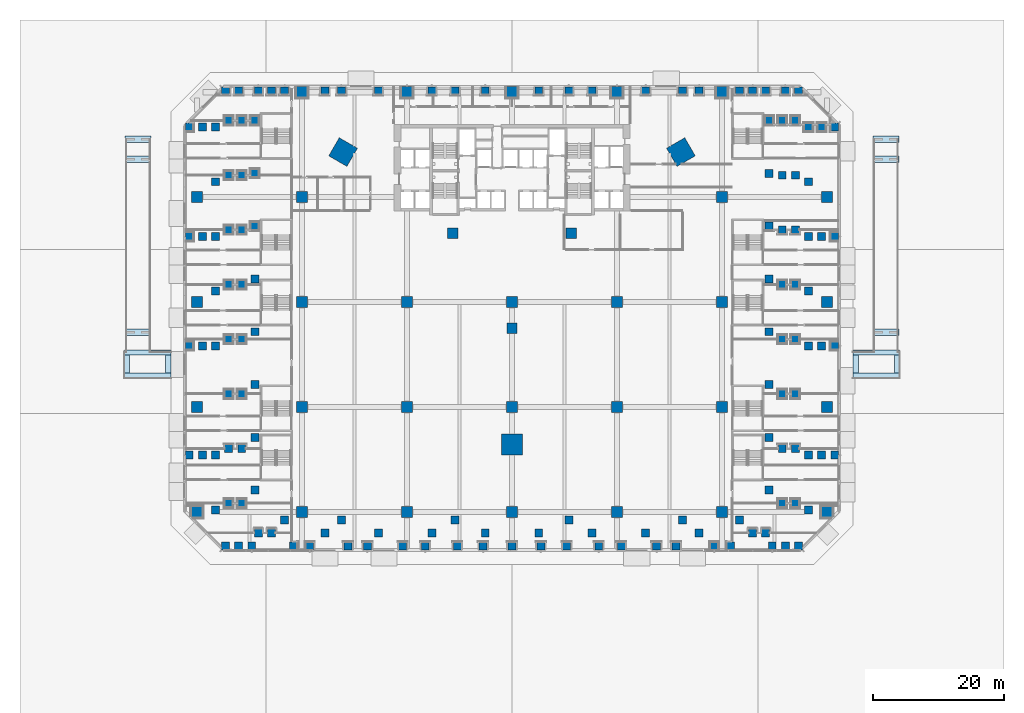
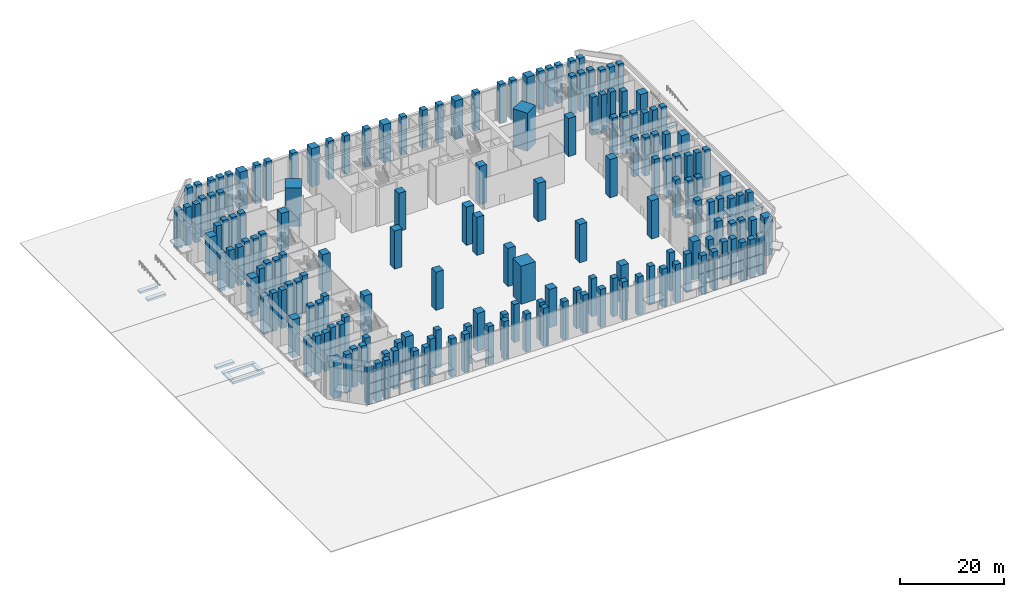
# One storey, part 1 of 51: 177 columns, 14 footings, 2 elements without a shape of their own.
"""IFC4 building model written with IfcOpenShell, lengths in metres."""

from ifc_helpers import new_model, si_unit, direction, frame, origin, origin_2d, place, context, subcontext, project, spatial, polyline, rectangle, outline, extrude, material, layer, layer_set, material_profile, profile_set, type_object, element, aggregate, save


model = new_model("IFC4")

# Units and contexts
model_context = context("Model", 3, precision=1e-05, world=origin(), true_north=direction((0.0, 1.0)))
body_context = subcontext(model_context, "Body", "Model", "MODEL_VIEW")
ifc_project = project(units=[si_unit("LENGTHUNIT", "METRE"), si_unit("AREAUNIT", "SQUARE_METRE"), si_unit("VOLUMEUNIT", "CUBIC_METRE"), si_unit("PLANEANGLEUNIT", "RADIAN"), si_unit("MASSUNIT", "GRAM", prefix="KILO")], contexts=[model_context])

# Site, building, storey
site_placement = place(None, origin())
site = spatial("IfcSite", under=ifc_project, at=site_placement, CompositionType="ELEMENT")
building_placement = place(site_placement, origin())
building = spatial("IfcBuilding", under=site, at=building_placement, Name="Calabash Gate Tower", CompositionType="ELEMENT")
storey_placement = place(building_placement, origin())
storey = spatial("IfcBuildingStorey", under=building, at=storey_placement, Name="L00", CompositionType="ELEMENT", Elevation=0.0)

# Assembly, footings
assembly_1_placement = place(storey_placement, origin())
assembly_1 = element("IfcElementAssembly", 1, at=assembly_1_placement, inside=storey, Name="Entry Ramp", ObjectType="Vehicle ramp", PredefinedType="USERDEFINED")
ifc_material_1 = material(Name="Concrete C40/50", Category="concrete")
ifc_layer_1 = layer(ifc_material_1, 0.5)
ifc_layer_set_1 = layer_set([ifc_layer_1], Name="Ramp landing footing 500")
footing_type_1 = type_object("IfcFootingType", Name="Ramp landing footing 500", PredefinedType="STRIP_FOOTING", material=ifc_layer_set_1)
footing_1_placement = place(storey_placement, frame((0.0, 0.0, -5.800048828125)))
footing_1 = element("IfcFooting", 2, at=footing_1_placement, type_object=footing_type_1, Name="Entry Ramp landing footing", PredefinedType="STRIP_FOOTING", context=body_context, shape_type="SweptSolid", body=[
    extrude(outline(polyline([(52.0, -19.60009765625), (59.10009765625, -19.60009765625), (59.10009765625, -18.800048828125), (52.0, -18.800048828125), (52.0, -19.60009765625)])), origin(), (0.0, 0.0, 1.0), 0.5),
])
footing_2_placement = place(storey_placement, frame((0.0, 0.0, -5.800048828125)))
footing_2 = element("IfcFooting", 3, at=footing_2_placement, type_object=footing_type_1, Name="Entry Ramp landing footing", PredefinedType="STRIP_FOOTING", context=body_context, shape_type="SweptSolid", body=[
    extrude(outline(polyline([(52.0, -16.10009765625), (59.10009765625, -16.10009765625), (59.10009765625, -15.300048828125), (52.0, -15.300048828125), (52.0, -16.10009765625)])), origin(), (0.0, 0.0, 1.0), 0.5),
])
footing_3_placement = place(storey_placement, frame((0.0, 0.0, -5.800048828125)))
footing_3 = element("IfcFooting", 4, at=footing_3_placement, type_object=footing_type_1, Name="Entry Ramp landing footing", PredefinedType="STRIP_FOOTING", context=body_context, shape_type="SweptSolid", body=[
    extrude(outline(polyline([(52.0, -18.800048828125), (52.800048828125, -18.800048828125), (52.800048828125, -16.10009765625), (52.0, -16.10009765625), (52.0, -18.800048828125)])), origin(), (0.0, 0.0, 1.0), 0.5),
])
footing_4_placement = place(storey_placement, frame((0.0, 0.0, -5.800048828125)))
footing_4 = element("IfcFooting", 5, at=footing_4_placement, type_object=footing_type_1, Name="Entry Ramp landing footing", PredefinedType="STRIP_FOOTING", context=body_context, shape_type="SweptSolid", body=[
    extrude(outline(polyline([(58.300048828125, -18.800048828125), (59.10009765625, -18.800048828125), (59.10009765625, -16.10009765625), (58.300048828125, -16.10009765625), (58.300048828125, -18.800048828125)])), origin(), (0.0, 0.0, 1.0), 0.5),
])

assembly_2_placement = place(storey_placement, origin())
assembly_2 = element("IfcElementAssembly", 6, at=assembly_2_placement, inside=storey, Name="Exit Ramp", ObjectType="Vehicle ramp", PredefinedType="USERDEFINED")
footing_5_placement = place(storey_placement, frame((0.0, 0.0, -5.800048828125)))
footing_5 = element("IfcFooting", 7, at=footing_5_placement, type_object=footing_type_1, Name="Exit Ramp landing footing", PredefinedType="STRIP_FOOTING", context=body_context, shape_type="SweptSolid", body=[
    extrude(outline(polyline([(-59.10009765625, -19.60009765625), (-52.0, -19.60009765625), (-52.0, -18.800048828125), (-59.10009765625, -18.800048828125), (-59.10009765625, -19.60009765625)])), origin(), (0.0, 0.0, 1.0), 0.5),
])
footing_6_placement = place(storey_placement, frame((0.0, 0.0, -5.800048828125)))
footing_6 = element("IfcFooting", 8, at=footing_6_placement, type_object=footing_type_1, Name="Exit Ramp landing footing", PredefinedType="STRIP_FOOTING", context=body_context, shape_type="SweptSolid", body=[
    extrude(outline(polyline([(-59.10009765625, -16.10009765625), (-52.0, -16.10009765625), (-52.0, -15.300048828125), (-59.10009765625, -15.300048828125), (-59.10009765625, -16.10009765625)])), origin(), (0.0, 0.0, 1.0), 0.5),
])
footing_7_placement = place(storey_placement, frame((0.0, 0.0, -5.800048828125)))
footing_7 = element("IfcFooting", 9, at=footing_7_placement, type_object=footing_type_1, Name="Exit Ramp landing footing", PredefinedType="STRIP_FOOTING", context=body_context, shape_type="SweptSolid", body=[
    extrude(outline(polyline([(-59.10009765625, -18.800048828125), (-58.300048828125, -18.800048828125), (-58.300048828125, -16.10009765625), (-59.10009765625, -16.10009765625), (-59.10009765625, -18.800048828125)])), origin(), (0.0, 0.0, 1.0), 0.5),
])
footing_8_placement = place(storey_placement, frame((0.0, 0.0, -5.800048828125)))
footing_8 = element("IfcFooting", 10, at=footing_8_placement, type_object=footing_type_1, Name="Exit Ramp landing footing", PredefinedType="STRIP_FOOTING", context=body_context, shape_type="SweptSolid", body=[
    extrude(outline(polyline([(-52.800048828125, -18.800048828125), (-52.0, -18.800048828125), (-52.0, -16.10009765625), (-52.800048828125, -16.10009765625), (-52.800048828125, -18.800048828125)])), origin(), (0.0, 0.0, 1.0), 0.5),
])

# Footing
ifc_material_2 = material(Name="Concrete C40/50", Category="concrete")
ifc_layer_2 = layer(ifc_material_2, 1.0)
ifc_layer_set_2 = layer_set([ifc_layer_2], Name="Ramp support footing 1000")
footing_type_2 = type_object("IfcFootingType", Name="Ramp support footing 1000", PredefinedType="STRIP_FOOTING", material=ifc_layer_set_2)
footing_9_placement = place(storey_placement, frame((0.0, 0.0, -6.300048828125)))
footing_9 = element("IfcFooting", 11, at=footing_9_placement, type_object=footing_type_2, Name="Entry Ramp support footing", PredefinedType="STRIP_FOOTING", context=body_context, shape_type="SweptSolid", body=[
    extrude(outline(polyline([(55.0, -13.10009765625), (59.0, -13.10009765625), (59.0, -12.10009765625), (55.0, -12.10009765625), (55.0, -13.10009765625)])), origin(), (0.0, 0.0, 1.0), 0.5),
])

footing_10_placement = place(storey_placement, frame((0.0, 0.0, -6.300048828125)))
footing_10 = element("IfcFooting", 12, at=footing_10_placement, type_object=footing_type_2, Name="Entry Ramp support footing", PredefinedType="STRIP_FOOTING", context=body_context, shape_type="SweptSolid", body=[
    extrude(outline(polyline([(55.0, 13.300048828125), (59.0, 13.300048828125), (59.0, 14.300048828125), (55.0, 14.300048828125), (55.0, 13.300048828125)])), origin(), (0.0, 0.0, 1.0), 0.5),
])

footing_11_placement = place(storey_placement, frame((0.0, 0.0, -6.300048828125)))
footing_11 = element("IfcFooting", 13, at=footing_11_placement, type_object=footing_type_2, Name="Entry Ramp support footing", PredefinedType="STRIP_FOOTING", context=body_context, shape_type="SweptSolid", body=[
    extrude(outline(polyline([(55.0, 16.300048828125), (59.0, 16.300048828125), (59.0, 17.300048828125), (55.0, 17.300048828125), (55.0, 16.300048828125)])), origin(), (0.0, 0.0, 1.0), 0.5),
])

aggregate(assembly_1, [footing_1, footing_2, footing_3, footing_4, footing_9, footing_10, footing_11])

footing_12_placement = place(storey_placement, frame((0.0, 0.0, -6.300048828125)))
footing_12 = element("IfcFooting", 14, at=footing_12_placement, type_object=footing_type_2, Name="Exit Ramp support footing", PredefinedType="STRIP_FOOTING", context=body_context, shape_type="SweptSolid", body=[
    extrude(outline(polyline([(-59.0, -13.10009765625), (-55.0, -13.10009765625), (-55.0, -12.10009765625), (-59.0, -12.10009765625), (-59.0, -13.10009765625)])), origin(), (0.0, 0.0, 1.0), 0.5),
])

footing_13_placement = place(storey_placement, frame((0.0, 0.0, -6.300048828125)))
footing_13 = element("IfcFooting", 15, at=footing_13_placement, type_object=footing_type_2, Name="Exit Ramp support footing", PredefinedType="STRIP_FOOTING", context=body_context, shape_type="SweptSolid", body=[
    extrude(outline(polyline([(-59.0, 13.300048828125), (-55.0, 13.300048828125), (-55.0, 14.300048828125), (-59.0, 14.300048828125), (-59.0, 13.300048828125)])), origin(), (0.0, 0.0, 1.0), 0.5),
])

footing_14_placement = place(storey_placement, frame((0.0, 0.0, -6.300048828125)))
footing_14 = element("IfcFooting", 16, at=footing_14_placement, type_object=footing_type_2, Name="Exit Ramp support footing", PredefinedType="STRIP_FOOTING", context=body_context, shape_type="SweptSolid", body=[
    extrude(outline(polyline([(-59.0, 16.300048828125), (-55.0, 16.300048828125), (-55.0, 17.300048828125), (-59.0, 17.300048828125), (-59.0, 16.300048828125)])), origin(), (0.0, 0.0, 1.0), 0.5),
])

aggregate(assembly_2, [footing_5, footing_6, footing_7, footing_8, footing_12, footing_13, footing_14])

# Columns
ifc_material_3 = material(Name="Concrete C80/95", Category="concrete")
ifc_material_profile_1 = material_profile(ifc_material_3, rectangle(XDim=1.60009765625, YDim=1.60009765625, at=origin_2d()))
ifc_profile_set_1 = profile_set([ifc_material_profile_1], Name="Concrete C80/95")
column_type_1 = type_object("IfcColumnType", Name="Interior column RC 1600x1600 Concrete C80/95", PredefinedType="COLUMN", material=ifc_profile_set_1)
for number, where, z_axis, x_axis, name in (
    (17, (-9.0, 2.5, 0.0), (0.0, 0.0, 1.0), (1.0, 0.0, 0.0), "Interior column L00 I0"),
    (18, (9.0, 2.5, 0.0), (0.0, 0.0, 1.0), (1.0, 0.0, 0.0), "Interior column L00 I1"),
    (19, (0.0, -12.0, 0.0), (0.0, 0.0, 1.0), (1.0, 0.0, 0.0), "Interior column L00 I2"),
):
    element("IfcColumn", number, at=place(storey_placement, frame(where, z_axis=z_axis, x_axis=x_axis)), inside=storey, type_object=column_type_1, Name=name, PredefinedType="COLUMN", context=body_context, shape_type="SweptSolid", body=[
        extrude(rectangle(XDim=1.60009765625, YDim=1.60009765625, at=origin_2d()), origin(), (0.0, 0.0, 1.0), 9.0),
    ])
ifc_material_4 = material(Name="Concrete C80/95", Category="concrete")
ifc_material_profile_2 = material_profile(ifc_material_4, rectangle(XDim=3.199951171875, YDim=3.199951171875, at=origin_2d()))
ifc_profile_set_2 = profile_set([ifc_material_profile_2], Name="Concrete C80/95")
column_type_2 = type_object("IfcColumnType", Name="Mega column RC 3200x3200 Concrete C80/95", PredefinedType="COLUMN", material=ifc_profile_set_2)
for number, where, z_axis, x_axis, name in (
    (20, (-25.75, 14.866943359375, 0.0), (0.0, 0.0, 1.0), (0.866025386331, -0.50000003023, 0.0), "Mega column L00 NW"),
    (21, (25.75, 14.866943359375, 0.0), (0.0, 0.0, 1.0), (-0.866025386331, -0.50000003023, 0.0), "Mega column L00 NE"),
    (22, (0.0, -29.73291015625, 0.0), (0.0, 0.0, 1.0), (0.0, 1.0, 0.0), "Mega column L00 S"),
):
    element("IfcColumn", number, at=place(storey_placement, frame(where, z_axis=z_axis, x_axis=x_axis)), inside=storey, type_object=column_type_2, Name=name, PredefinedType="COLUMN", context=body_context, shape_type="SweptSolid", body=[
        extrude(rectangle(XDim=3.199951171875, YDim=3.199951171875, at=origin_2d()), origin(), (0.0, 0.0, 1.0), 9.0),
    ])
ifc_material_5 = material(Name="Concrete C80/95", Category="concrete")
ifc_material_profile_3 = material_profile(ifc_material_5, rectangle(XDim=1.699951171875, YDim=1.699951171875, at=origin_2d()))
ifc_profile_set_3 = profile_set([ifc_material_profile_3], Name="Concrete C80/95")
column_type_3 = type_object("IfcColumnType", Name="Podium column RC 1700x1700 Concrete C80/95", PredefinedType="COLUMN", material=ifc_profile_set_3)
for number, where, z_axis, x_axis, name in (
    (23, (-48.0, -40.0, 0.0), (0.0, 0.0, 1.0), (1.0, 0.0, 0.0), "Podium column L00 G1A"),
    (24, (-48.0, -24.0, 0.0), (0.0, 0.0, 1.0), (1.0, 0.0, 0.0), "Podium column L00 G1B"),
    (25, (-48.0, -8.0, 0.0), (0.0, 0.0, 1.0), (1.0, 0.0, 0.0), "Podium column L00 G1C"),
    (26, (-48.0, 8.0, 0.0), (0.0, 0.0, 1.0), (1.0, 0.0, 0.0), "Podium column L00 G1D"),
    (27, (-32.0, -40.0, 0.0), (0.0, 0.0, 1.0), (1.0, 0.0, 0.0), "Podium column L00 G2A"),
    (28, (-32.0, -24.0, 0.0), (0.0, 0.0, 1.0), (1.0, 0.0, 0.0), "Podium column L00 G2B"),
    (29, (-32.0, -8.0, 0.0), (0.0, 0.0, 1.0), (1.0, 0.0, 0.0), "Podium column L00 G2C"),
    (30, (-32.0, 8.0, 0.0), (0.0, 0.0, 1.0), (1.0, 0.0, 0.0), "Podium column L00 G2D"),
    (31, (-32.0, 24.0, 0.0), (0.0, 0.0, 1.0), (1.0, 0.0, 0.0), "Podium column L00 G2E"),
    (32, (-16.0, -40.0, 0.0), (0.0, 0.0, 1.0), (1.0, 0.0, 0.0), "Podium column L00 G3A"),
    (33, (-16.0, -24.0, 0.0), (0.0, 0.0, 1.0), (1.0, 0.0, 0.0), "Podium column L00 G3B"),
    (34, (-16.0, -8.0, 0.0), (0.0, 0.0, 1.0), (1.0, 0.0, 0.0), "Podium column L00 G3C"),
    (35, (-16.0, 24.0, 0.0), (0.0, 0.0, 1.0), (1.0, 0.0, 0.0), "Podium column L00 G3E"),
    (36, (0.0, -40.0, 0.0), (0.0, 0.0, 1.0), (1.0, 0.0, 0.0), "Podium column L00 G4A"),
    (37, (0.0, -24.0, 0.0), (0.0, 0.0, 1.0), (1.0, 0.0, 0.0), "Podium column L00 G4B"),
    (38, (0.0, -8.0, 0.0), (0.0, 0.0, 1.0), (1.0, 0.0, 0.0), "Podium column L00 G4C"),
    (39, (0.0, 24.0, 0.0), (0.0, 0.0, 1.0), (1.0, 0.0, 0.0), "Podium column L00 G4E"),
    (40, (16.0, -40.0, 0.0), (0.0, 0.0, 1.0), (1.0, 0.0, 0.0), "Podium column L00 G5A"),
    (41, (16.0, -24.0, 0.0), (0.0, 0.0, 1.0), (1.0, 0.0, 0.0), "Podium column L00 G5B"),
    (42, (16.0, -8.0, 0.0), (0.0, 0.0, 1.0), (1.0, 0.0, 0.0), "Podium column L00 G5C"),
    (43, (16.0, 24.0, 0.0), (0.0, 0.0, 1.0), (1.0, 0.0, 0.0), "Podium column L00 G5E"),
    (44, (32.0, -40.0, 0.0), (0.0, 0.0, 1.0), (1.0, 0.0, 0.0), "Podium column L00 G6A"),
    (45, (32.0, -24.0, 0.0), (0.0, 0.0, 1.0), (1.0, 0.0, 0.0), "Podium column L00 G6B"),
    (46, (32.0, -8.0, 0.0), (0.0, 0.0, 1.0), (1.0, 0.0, 0.0), "Podium column L00 G6C"),
    (47, (32.0, 8.0, 0.0), (0.0, 0.0, 1.0), (1.0, 0.0, 0.0), "Podium column L00 G6D"),
    (48, (32.0, 24.0, 0.0), (0.0, 0.0, 1.0), (1.0, 0.0, 0.0), "Podium column L00 G6E"),
    (49, (48.0, -40.0, 0.0), (0.0, 0.0, 1.0), (1.0, 0.0, 0.0), "Podium column L00 G7A"),
    (50, (48.0, -24.0, 0.0), (0.0, 0.0, 1.0), (1.0, 0.0, 0.0), "Podium column L00 G7B"),
    (51, (48.0, -8.0, 0.0), (0.0, 0.0, 1.0), (1.0, 0.0, 0.0), "Podium column L00 G7C"),
    (52, (48.0, 8.0, 0.0), (0.0, 0.0, 1.0), (1.0, 0.0, 0.0), "Podium column L00 G7D"),
):
    element("IfcColumn", number, at=place(storey_placement, frame(where, z_axis=z_axis, x_axis=x_axis)), inside=storey, type_object=column_type_3, Name=name, PredefinedType="COLUMN", context=body_context, shape_type="SweptSolid", body=[
        extrude(rectangle(XDim=1.699951171875, YDim=1.699951171875, at=origin_2d()), origin(), (0.0, 0.0, 1.0), 9.0),
    ])
ifc_material_6 = material(Name="Concrete C80/95", Category="concrete")
ifc_material_profile_4 = material_profile(ifc_material_6, rectangle(XDim=1.199951171875, YDim=1.199951171875, at=origin_2d()))
ifc_profile_set_4 = profile_set([ifc_material_profile_4], Name="Concrete C80/95")
column_type_4 = type_object("IfcColumnType", Name="Podium edge column RC 1200x1200 Concrete C80/95", PredefinedType="COLUMN", material=ifc_profile_set_4)
for number, where, z_axis, x_axis, name in (
    (53, (-34.6689453125, -41.199951171875, 0.0), (0.0, 0.0, 1.0), (1.0, 0.0, 0.0), "Podium edge column L00 E01"),
    (54, (-39.199951171875, -36.6689453125, 0.0), (0.0, 0.0, 1.0), (1.0, 0.0, 0.0), "Podium edge column L00 E02"),
    (55, (-39.199951171875, 19.6689453125, 0.0), (0.0, 0.0, 1.0), (1.0, 0.0, 0.0), "Podium edge column L00 E03"),
    (56, (-34.6689453125, 24.199951171875, 0.0), (0.0, 0.0, 1.0), (1.0, 0.0, 0.0), "Podium edge column L00 E04"),
    (57, (34.6689453125, 24.199951171875, 0.0), (0.0, 0.0, 1.0), (1.0, 0.0, 0.0), "Podium edge column L00 E05"),
    (58, (39.199951171875, 19.6689453125, 0.0), (0.0, 0.0, 1.0), (1.0, 0.0, 0.0), "Podium edge column L00 E06"),
    (59, (39.199951171875, -36.6689453125, 0.0), (0.0, 0.0, 1.0), (1.0, 0.0, 0.0), "Podium edge column L00 E07"),
    (60, (34.6689453125, -41.199951171875, 0.0), (0.0, 0.0, 1.0), (1.0, 0.0, 0.0), "Podium edge column L00 E08"),
    (61, (-39.199951171875, -28.6201171875, 0.0), (0.0, 0.0, 1.0), (1.0, 0.0, 0.0), "Podium edge column L00 E09"),
    (62, (-39.199951171875, -20.572021484375, 0.0), (0.0, 0.0, 1.0), (1.0, 0.0, 0.0), "Podium edge column L00 E10"),
    (63, (-39.199951171875, -12.52392578125, 0.0), (0.0, 0.0, 1.0), (1.0, 0.0, 0.0), "Podium edge column L00 E11"),
    (64, (-39.199951171875, -4.47607421875, 0.0), (0.0, 0.0, 1.0), (1.0, 0.0, 0.0), "Podium edge column L00 E12"),
    (65, (-39.199951171875, 3.572021484375, 0.0), (0.0, 0.0, 1.0), (1.0, 0.0, 0.0), "Podium edge column L00 E13"),
    (66, (-39.199951171875, 11.6201171875, 0.0), (0.0, 0.0, 1.0), (1.0, 0.0, 0.0), "Podium edge column L00 E14"),
    (67, (-26.001953125, 24.199951171875, 0.0), (0.0, 0.0, 1.0), (1.0, 0.0, 0.0), "Podium edge column L00 E15"),
    (68, (-8.6669921875, 24.199951171875, 0.0), (0.0, 0.0, 1.0), (1.0, 0.0, 0.0), "Podium edge column L00 E16"),
    (69, (8.6669921875, 24.199951171875, 0.0), (0.0, 0.0, 1.0), (1.0, 0.0, 0.0), "Podium edge column L00 E17"),
    (70, (26.001953125, 24.199951171875, 0.0), (0.0, 0.0, 1.0), (1.0, 0.0, 0.0), "Podium edge column L00 E18"),
    (71, (39.199951171875, 11.6201171875, 0.0), (0.0, 0.0, 1.0), (1.0, 0.0, 0.0), "Podium edge column L00 E19"),
    (72, (39.199951171875, 3.572021484375, 0.0), (0.0, 0.0, 1.0), (1.0, 0.0, 0.0), "Podium edge column L00 E20"),
    (73, (39.199951171875, -4.47607421875, 0.0), (0.0, 0.0, 1.0), (1.0, 0.0, 0.0), "Podium edge column L00 E21"),
    (74, (39.199951171875, -12.52392578125, 0.0), (0.0, 0.0, 1.0), (1.0, 0.0, 0.0), "Podium edge column L00 E22"),
    (75, (39.199951171875, -20.572021484375, 0.0), (0.0, 0.0, 1.0), (1.0, 0.0, 0.0), "Podium edge column L00 E23"),
    (76, (39.199951171875, -28.6201171875, 0.0), (0.0, 0.0, 1.0), (1.0, 0.0, 0.0), "Podium edge column L00 E24"),
    (77, (26.001953125, -41.199951171875, 0.0), (0.0, 0.0, 1.0), (1.0, 0.0, 0.0), "Podium edge column L00 E25"),
    (78, (8.6669921875, -41.199951171875, 0.0), (0.0, 0.0, 1.0), (1.0, 0.0, 0.0), "Podium edge column L00 E26"),
    (79, (-8.6669921875, -41.199951171875, 0.0), (0.0, 0.0, 1.0), (1.0, 0.0, 0.0), "Podium edge column L00 E27"),
    (80, (-26.001953125, -41.199951171875, 0.0), (0.0, 0.0, 1.0), (1.0, 0.0, 0.0), "Podium edge column L00 E28"),
    (81, (-36.6689453125, -43.199951171875, 0.0), (0.0, 0.0, 1.0), (1.0, 0.0, 0.0), "Podium edge column L00 E29"),
    (82, (-41.199951171875, -38.6689453125, 0.0), (0.0, 0.0, 1.0), (1.0, 0.0, 0.0), "Podium edge column L00 E30"),
    (83, (-41.199951171875, 19.6689453125, 0.0), (0.0, 0.0, 1.0), (1.0, 0.0, 0.0), "Podium edge column L00 E31"),
    (84, (-36.6689453125, 24.199951171875, 0.0), (0.0, 0.0, 1.0), (1.0, 0.0, 0.0), "Podium edge column L00 E32"),
    (85, (36.6689453125, 24.199951171875, 0.0), (0.0, 0.0, 1.0), (1.0, 0.0, 0.0), "Podium edge column L00 E33"),
    (86, (41.199951171875, 19.6689453125, 0.0), (0.0, 0.0, 1.0), (1.0, 0.0, 0.0), "Podium edge column L00 E34"),
    (87, (41.199951171875, -38.6689453125, 0.0), (0.0, 0.0, 1.0), (1.0, 0.0, 0.0), "Podium edge column L00 E35"),
    (88, (36.6689453125, -43.199951171875, 0.0), (0.0, 0.0, 1.0), (1.0, 0.0, 0.0), "Podium edge column L00 E36"),
    (89, (-41.199951171875, -30.3330078125, 0.0), (0.0, 0.0, 1.0), (1.0, 0.0, 0.0), "Podium edge column L00 E37"),
    (90, (-41.199951171875, -22.0009765625, 0.0), (0.0, 0.0, 1.0), (1.0, 0.0, 0.0), "Podium edge column L00 E38"),
    (91, (-41.199951171875, -13.6669921875, 0.0), (0.0, 0.0, 1.0), (1.0, 0.0, 0.0), "Podium edge column L00 E39"),
    (92, (-41.199951171875, -5.3330078125, 0.0), (0.0, 0.0, 1.0), (1.0, 0.0, 0.0), "Podium edge column L00 E40"),
    (93, (-41.199951171875, 3.0009765625, 0.0), (0.0, 0.0, 1.0), (1.0, 0.0, 0.0), "Podium edge column L00 E41"),
    (94, (-41.199951171875, 11.3369140625, 0.0), (0.0, 0.0, 1.0), (1.0, 0.0, 0.0), "Podium edge column L00 E42"),
    (95, (-28.52001953125, 24.199951171875, 0.0), (0.0, 0.0, 1.0), (1.0, 0.0, 0.0), "Podium edge column L00 E43"),
    (96, (-20.3720703125, 24.199951171875, 0.0), (0.0, 0.0, 1.0), (1.0, 0.0, 0.0), "Podium edge column L00 E44"),
    (97, (-12.222900390625, 24.199951171875, 0.0), (0.0, 0.0, 1.0), (1.0, 0.0, 0.0), "Podium edge column L00 E45"),
    (98, (-4.073974609375, 24.199951171875, 0.0), (0.0, 0.0, 1.0), (1.0, 0.0, 0.0), "Podium edge column L00 E46"),
    (99, (4.073974609375, 24.199951171875, 0.0), (0.0, 0.0, 1.0), (1.0, 0.0, 0.0), "Podium edge column L00 E47"),
    (100, (12.222900390625, 24.199951171875, 0.0), (0.0, 0.0, 1.0), (1.0, 0.0, 0.0), "Podium edge column L00 E48"),
    (101, (20.3720703125, 24.199951171875, 0.0), (0.0, 0.0, 1.0), (1.0, 0.0, 0.0), "Podium edge column L00 E49"),
    (102, (28.52001953125, 24.199951171875, 0.0), (0.0, 0.0, 1.0), (1.0, 0.0, 0.0), "Podium edge column L00 E50"),
    (103, (41.199951171875, 11.3369140625, 0.0), (0.0, 0.0, 1.0), (1.0, 0.0, 0.0), "Podium edge column L00 E51"),
    (104, (41.199951171875, 3.0009765625, 0.0), (0.0, 0.0, 1.0), (1.0, 0.0, 0.0), "Podium edge column L00 E52"),
    (105, (41.199951171875, -5.3330078125, 0.0), (0.0, 0.0, 1.0), (1.0, 0.0, 0.0), "Podium edge column L00 E53"),
    (106, (41.199951171875, -13.6669921875, 0.0), (0.0, 0.0, 1.0), (1.0, 0.0, 0.0), "Podium edge column L00 E54"),
    (107, (41.199951171875, -22.0009765625, 0.0), (0.0, 0.0, 1.0), (1.0, 0.0, 0.0), "Podium edge column L00 E55"),
    (108, (41.199951171875, -30.3330078125, 0.0), (0.0, 0.0, 1.0), (1.0, 0.0, 0.0), "Podium edge column L00 E56"),
    (109, (28.52001953125, -43.199951171875, 0.0), (0.0, 0.0, 1.0), (1.0, 0.0, 0.0), "Podium edge column L00 E57"),
    (110, (20.3720703125, -43.199951171875, 0.0), (0.0, 0.0, 1.0), (1.0, 0.0, 0.0), "Podium edge column L00 E58"),
    (111, (12.222900390625, -43.199951171875, 0.0), (0.0, 0.0, 1.0), (1.0, 0.0, 0.0), "Podium edge column L00 E59"),
    (112, (4.073974609375, -43.199951171875, 0.0), (0.0, 0.0, 1.0), (1.0, 0.0, 0.0), "Podium edge column L00 E60"),
    (113, (-4.073974609375, -43.199951171875, 0.0), (0.0, 0.0, 1.0), (1.0, 0.0, 0.0), "Podium edge column L00 E61"),
    (114, (-12.222900390625, -43.199951171875, 0.0), (0.0, 0.0, 1.0), (1.0, 0.0, 0.0), "Podium edge column L00 E62"),
    (115, (-20.3720703125, -43.199951171875, 0.0), (0.0, 0.0, 1.0), (1.0, 0.0, 0.0), "Podium edge column L00 E63"),
    (116, (-28.52001953125, -43.199951171875, 0.0), (0.0, 0.0, 1.0), (1.0, 0.0, 0.0), "Podium edge column L00 E64"),
    (117, (-38.6689453125, -43.199951171875, 0.0), (0.0, 0.0, 1.0), (1.0, 0.0, 0.0), "Podium edge column L00 E65"),
    (118, (-43.199951171875, -38.6689453125, 0.0), (0.0, 0.0, 1.0), (1.0, 0.0, 0.0), "Podium edge column L00 E66"),
    (119, (-43.199951171875, 19.6689453125, 0.0), (0.0, 0.0, 1.0), (1.0, 0.0, 0.0), "Podium edge column L00 E67"),
    (120, (-38.6689453125, 24.199951171875, 0.0), (0.0, 0.0, 1.0), (1.0, 0.0, 0.0), "Podium edge column L00 E68"),
    (121, (38.6689453125, 24.199951171875, 0.0), (0.0, 0.0, 1.0), (1.0, 0.0, 0.0), "Podium edge column L00 E69"),
    (122, (43.199951171875, 19.6689453125, 0.0), (0.0, 0.0, 1.0), (1.0, 0.0, 0.0), "Podium edge column L00 E70"),
    (123, (43.199951171875, -38.6689453125, 0.0), (0.0, 0.0, 1.0), (1.0, 0.0, 0.0), "Podium edge column L00 E71"),
    (124, (38.6689453125, -43.199951171875, 0.0), (0.0, 0.0, 1.0), (1.0, 0.0, 0.0), "Podium edge column L00 E72"),
    (125, (-43.199951171875, -30.3330078125, 0.0), (0.0, 0.0, 1.0), (1.0, 0.0, 0.0), "Podium edge column L00 E73"),
    (126, (-43.199951171875, -22.0009765625, 0.0), (0.0, 0.0, 1.0), (1.0, 0.0, 0.0), "Podium edge column L00 E74"),
    (127, (-43.199951171875, -13.6669921875, 0.0), (0.0, 0.0, 1.0), (1.0, 0.0, 0.0), "Podium edge column L00 E75"),
    (128, (-43.199951171875, -5.3330078125, 0.0), (0.0, 0.0, 1.0), (1.0, 0.0, 0.0), "Podium edge column L00 E76"),
    (129, (-43.199951171875, 3.0009765625, 0.0), (0.0, 0.0, 1.0), (1.0, 0.0, 0.0), "Podium edge column L00 E77"),
    (130, (-43.199951171875, 11.3369140625, 0.0), (0.0, 0.0, 1.0), (1.0, 0.0, 0.0), "Podium edge column L00 E78"),
    (131, (43.199951171875, 11.3369140625, 0.0), (0.0, 0.0, 1.0), (1.0, 0.0, 0.0), "Podium edge column L00 E79"),
    (132, (43.199951171875, 3.0009765625, 0.0), (0.0, 0.0, 1.0), (1.0, 0.0, 0.0), "Podium edge column L00 E80"),
    (133, (43.199951171875, -5.3330078125, 0.0), (0.0, 0.0, 1.0), (1.0, 0.0, 0.0), "Podium edge column L00 E81"),
    (134, (43.199951171875, -13.6669921875, 0.0), (0.0, 0.0, 1.0), (1.0, 0.0, 0.0), "Podium edge column L00 E82"),
    (135, (43.199951171875, -22.0009765625, 0.0), (0.0, 0.0, 1.0), (1.0, 0.0, 0.0), "Podium edge column L00 E83"),
    (136, (43.199951171875, -30.3330078125, 0.0), (0.0, 0.0, 1.0), (1.0, 0.0, 0.0), "Podium edge column L00 E84"),
    (137, (-39.6689453125, -45.199951171875, 0.0), (0.0, 0.0, 1.0), (1.0, 0.0, 0.0), "Podium edge column L00 E85"),
    (138, (-45.199951171875, -39.6689453125, 0.0), (0.0, 0.0, 1.0), (1.0, 0.0, 0.0), "Podium edge column L00 E86"),
    (139, (-45.199951171875, 18.6689453125, 0.0), (0.0, 0.0, 1.0), (1.0, 0.0, 0.0), "Podium edge column L00 E87"),
    (140, (45.199951171875, 18.6689453125, 0.0), (0.0, 0.0, 1.0), (1.0, 0.0, 0.0), "Podium edge column L00 E88"),
    (141, (45.199951171875, -39.6689453125, 0.0), (0.0, 0.0, 1.0), (1.0, 0.0, 0.0), "Podium edge column L00 E89"),
    (142, (39.6689453125, -45.199951171875, 0.0), (0.0, 0.0, 1.0), (1.0, 0.0, 0.0), "Podium edge column L00 E90"),
    (143, (-45.199951171875, -31.3330078125, 0.0), (0.0, 0.0, 1.0), (1.0, 0.0, 0.0), "Podium edge column L00 E91"),
    (144, (-45.199951171875, -14.6669921875, 0.0), (0.0, 0.0, 1.0), (1.0, 0.0, 0.0), "Podium edge column L00 E92"),
    (145, (-45.199951171875, -6.3330078125, 0.0), (0.0, 0.0, 1.0), (1.0, 0.0, 0.0), "Podium edge column L00 E93"),
    (146, (-45.199951171875, 2.0009765625, 0.0), (0.0, 0.0, 1.0), (1.0, 0.0, 0.0), "Podium edge column L00 E94"),
    (147, (-45.199951171875, 10.3369140625, 0.0), (0.0, 0.0, 1.0), (1.0, 0.0, 0.0), "Podium edge column L00 E95"),
    (148, (45.199951171875, 10.3369140625, 0.0), (0.0, 0.0, 1.0), (1.0, 0.0, 0.0), "Podium edge column L00 E96"),
    (149, (45.199951171875, 2.0009765625, 0.0), (0.0, 0.0, 1.0), (1.0, 0.0, 0.0), "Podium edge column L00 E97"),
    (150, (45.199951171875, -6.3330078125, 0.0), (0.0, 0.0, 1.0), (1.0, 0.0, 0.0), "Podium edge column L00 E98"),
    (151, (45.199951171875, -14.6669921875, 0.0), (0.0, 0.0, 1.0), (1.0, 0.0, 0.0), "Podium edge column L00 E99"),
    (152, (45.199951171875, -31.3330078125, 0.0), (0.0, 0.0, 1.0), (1.0, 0.0, 0.0), "Podium edge column L00 E100"),
    (153, (30.85302734375, -45.199951171875, 0.0), (0.0, 0.0, 1.0), (1.0, 0.0, 0.0), "Podium edge column L00 E101"),
    (154, (22.0380859375, -45.199951171875, 0.0), (0.0, 0.0, 1.0), (1.0, 0.0, 0.0), "Podium edge column L00 E102"),
    (155, (13.222900390625, -45.199951171875, 0.0), (0.0, 0.0, 1.0), (1.0, 0.0, 0.0), "Podium edge column L00 E103"),
    (156, (4.407958984375, -45.199951171875, 0.0), (0.0, 0.0, 1.0), (1.0, 0.0, 0.0), "Podium edge column L00 E104"),
    (157, (-4.407958984375, -45.199951171875, 0.0), (0.0, 0.0, 1.0), (1.0, 0.0, 0.0), "Podium edge column L00 E105"),
    (158, (-13.222900390625, -45.199951171875, 0.0), (0.0, 0.0, 1.0), (1.0, 0.0, 0.0), "Podium edge column L00 E106"),
    (159, (-22.0380859375, -45.199951171875, 0.0), (0.0, 0.0, 1.0), (1.0, 0.0, 0.0), "Podium edge column L00 E107"),
    (160, (-30.85302734375, -45.199951171875, 0.0), (0.0, 0.0, 1.0), (1.0, 0.0, 0.0), "Podium edge column L00 E108"),
    (161, (-41.6689453125, -45.199951171875, 0.0), (0.0, 0.0, 1.0), (1.0, 0.0, 0.0), "Podium edge column L00 E109"),
    (162, (-47.199951171875, 18.6689453125, 0.0), (0.0, 0.0, 1.0), (1.0, 0.0, 0.0), "Podium edge column L00 E110"),
    (163, (-41.6689453125, 24.199951171875, 0.0), (0.0, 0.0, 1.0), (1.0, 0.0, 0.0), "Podium edge column L00 E111"),
    (164, (41.6689453125, 24.199951171875, 0.0), (0.0, 0.0, 1.0), (1.0, 0.0, 0.0), "Podium edge column L00 E112"),
    (165, (47.199951171875, 18.6689453125, 0.0), (0.0, 0.0, 1.0), (1.0, 0.0, 0.0), "Podium edge column L00 E113"),
    (166, (41.6689453125, -45.199951171875, 0.0), (0.0, 0.0, 1.0), (1.0, 0.0, 0.0), "Podium edge column L00 E114"),
    (167, (-47.199951171875, -31.3330078125, 0.0), (0.0, 0.0, 1.0), (1.0, 0.0, 0.0), "Podium edge column L00 E115"),
    (168, (-47.199951171875, -14.6669921875, 0.0), (0.0, 0.0, 1.0), (1.0, 0.0, 0.0), "Podium edge column L00 E116"),
    (169, (-47.199951171875, 2.0009765625, 0.0), (0.0, 0.0, 1.0), (1.0, 0.0, 0.0), "Podium edge column L00 E117"),
    (170, (47.199951171875, 2.0009765625, 0.0), (0.0, 0.0, 1.0), (1.0, 0.0, 0.0), "Podium edge column L00 E118"),
    (171, (47.199951171875, -14.6669921875, 0.0), (0.0, 0.0, 1.0), (1.0, 0.0, 0.0), "Podium edge column L00 E119"),
    (172, (47.199951171875, -31.3330078125, 0.0), (0.0, 0.0, 1.0), (1.0, 0.0, 0.0), "Podium edge column L00 E120"),
    (173, (33.3369140625, -45.199951171875, 0.0), (0.0, 0.0, 1.0), (1.0, 0.0, 0.0), "Podium edge column L00 E121"),
    (174, (25.0009765625, -45.199951171875, 0.0), (0.0, 0.0, 1.0), (1.0, 0.0, 0.0), "Podium edge column L00 E122"),
    (175, (16.66796875, -45.199951171875, 0.0), (0.0, 0.0, 1.0), (1.0, 0.0, 0.0), "Podium edge column L00 E123"),
    (176, (8.333984375, -45.199951171875, 0.0), (0.0, 0.0, 1.0), (1.0, 0.0, 0.0), "Podium edge column L00 E124"),
    (177, (0.0, -45.199951171875, 0.0), (0.0, 0.0, 1.0), (1.0, 0.0, 0.0), "Podium edge column L00 E125"),
    (178, (-8.333984375, -45.199951171875, 0.0), (0.0, 0.0, 1.0), (1.0, 0.0, 0.0), "Podium edge column L00 E126"),
    (179, (-16.66796875, -45.199951171875, 0.0), (0.0, 0.0, 1.0), (1.0, 0.0, 0.0), "Podium edge column L00 E127"),
    (180, (-25.0009765625, -45.199951171875, 0.0), (0.0, 0.0, 1.0), (1.0, 0.0, 0.0), "Podium edge column L00 E128"),
    (181, (-33.3330078125, -45.199951171875, 0.0), (0.0, 0.0, 1.0), (1.0, 0.0, 0.0), "Podium edge column L00 E129"),
    (182, (-43.6689453125, -45.199951171875, 0.0), (0.0, 0.0, 1.0), (1.0, 0.0, 0.0), "Podium edge column L00 E130"),
    (183, (-49.199951171875, 18.6689453125, 0.0), (0.0, 0.0, 1.0), (1.0, 0.0, 0.0), "Podium edge column L00 E131"),
    (184, (-43.6689453125, 24.199951171875, 0.0), (0.0, 0.0, 1.0), (1.0, 0.0, 0.0), "Podium edge column L00 E132"),
    (185, (43.6689453125, 24.199951171875, 0.0), (0.0, 0.0, 1.0), (1.0, 0.0, 0.0), "Podium edge column L00 E133"),
    (186, (49.199951171875, 18.6689453125, 0.0), (0.0, 0.0, 1.0), (1.0, 0.0, 0.0), "Podium edge column L00 E134"),
    (187, (43.6689453125, -45.199951171875, 0.0), (0.0, 0.0, 1.0), (1.0, 0.0, 0.0), "Podium edge column L00 E135"),
    (188, (-49.199951171875, -31.3330078125, 0.0), (0.0, 0.0, 1.0), (1.0, 0.0, 0.0), "Podium edge column L00 E136"),
    (189, (-49.199951171875, -14.6669921875, 0.0), (0.0, 0.0, 1.0), (1.0, 0.0, 0.0), "Podium edge column L00 E137"),
    (190, (-49.199951171875, 2.0009765625, 0.0), (0.0, 0.0, 1.0), (1.0, 0.0, 0.0), "Podium edge column L00 E138"),
    (191, (49.199951171875, 2.0009765625, 0.0), (0.0, 0.0, 1.0), (1.0, 0.0, 0.0), "Podium edge column L00 E139"),
    (192, (49.199951171875, -14.6669921875, 0.0), (0.0, 0.0, 1.0), (1.0, 0.0, 0.0), "Podium edge column L00 E140"),
    (193, (49.199951171875, -31.3330078125, 0.0), (0.0, 0.0, 1.0), (1.0, 0.0, 0.0), "Podium edge column L00 E141"),
):
    element("IfcColumn", number, at=place(storey_placement, frame(where, z_axis=z_axis, x_axis=x_axis)), inside=storey, type_object=column_type_4, Name=name, PredefinedType="COLUMN", context=body_context, shape_type="SweptSolid", body=[
        extrude(rectangle(XDim=1.199951171875, YDim=1.199951171875, at=origin_2d()), origin(), (0.0, 0.0, 1.0), 9.0),
    ])

save(model, "model.ifc")
